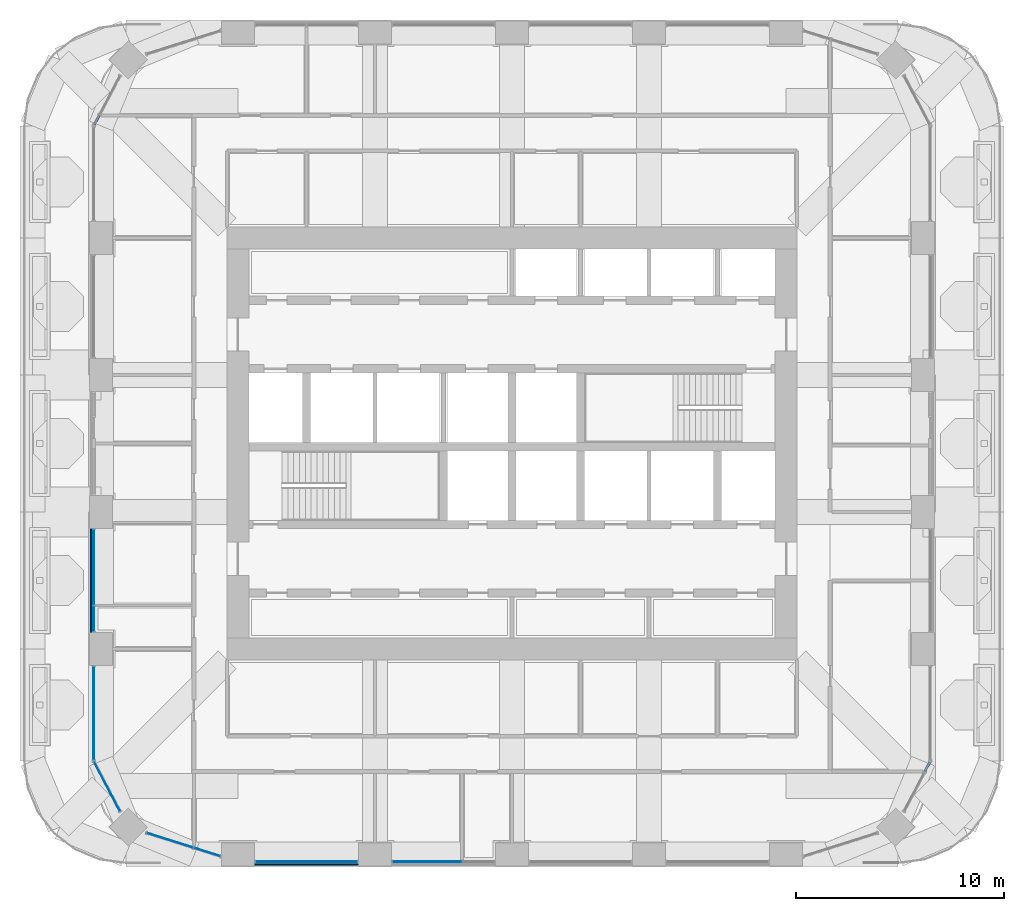
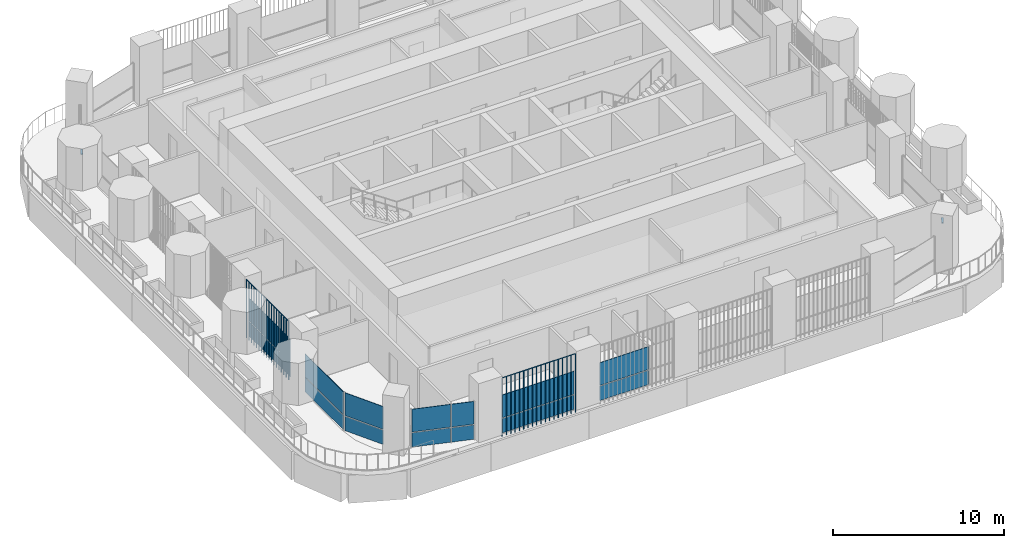
# One storey, part 8 of 24: 18 plates, 2 members, 8 elements without a shape of their own.
"""IFC4 building model written with IfcOpenShell, lengths in metres."""

import ifcopenshell
import ifcopenshell.guid

model = None  # the IFC model being written
_history = None  # IfcOwnerHistory: only IFC2X3 demands one
_inside = {}  # id of a spatial element -> (the spatial element, [elements in it])
_under = {}  # id of a project, library or spatial element -> (it, [spatial elements below it])
_declared = {}  # id of a project -> (the project, [libraries it declares])
_typed = {}  # id of a type object -> (the type object, [elements of that type])
_made_of = {}  # id of a material, layer set ... -> (it, [elements and type objects made of it])


def new_model(schema):
    """Start an empty IFC model of exactly this schema.

    Asked for "IFC4X3", IfcOpenShell would pick the latest addendum, in which some entities
    have other attributes; the version numbers below select the first issue.
    IFC2X3 requires an IfcOwnerHistory on every rooted entity: one is made here for all.
    """
    global model, _history
    if schema == "IFC4X3":
        model = ifcopenshell.file(schema_version=(4, 3, 0, 0))
    else:
        model = ifcopenshell.file(schema=schema)
    _inside.clear()
    _under.clear()
    _declared.clear()
    _typed.clear()
    _made_of.clear()
    _history = None
    if model.schema == "IFC2X3":
        org = make("IfcOrganization", Name="unknown")
        user = make(
            "IfcPersonAndOrganization",
            ThePerson=make("IfcPerson", FamilyName="unknown"),
            TheOrganization=org,
        )
        app = make(
            "IfcApplication",
            ApplicationDeveloper=org,
            Version="unknown",
            ApplicationFullName="unknown",
            ApplicationIdentifier="unknown",
        )
        _history = make(
            "IfcOwnerHistory",
            OwningUser=user,
            OwningApplication=app,
            ChangeAction="ADDED",
            CreationDate=0,
        )
    return model


def make(cls, **values):
    """One entity of the class cls with the attributes given. An attribute that is None is left unset."""
    return model.create_entity(
        cls, **{name: value for name, value in values.items() if value is not None}
    )


def rooted(cls, **values):
    """An entity with a GlobalId (a new one), such as an element, a storey or a relation."""
    return make(cls, GlobalId=ifcopenshell.guid.new(), OwnerHistory=_history, **values)


def si_unit(unit_type, name, prefix=None):
    """IfcSIUnit, for example si_unit("LENGTHUNIT", "METRE", prefix="MILLI")."""
    return make("IfcSIUnit", UnitType=unit_type, Prefix=prefix, Name=name)


def assignment(units):
    """IfcUnitAssignment: the units of a project."""
    return None if units is None else make("IfcUnitAssignment", Units=units)


def point(xyz):
    """IfcCartesianPoint."""
    return None if xyz is None else make("IfcCartesianPoint", Coordinates=xyz)


def direction(xyz):
    """IfcDirection."""
    return None if xyz is None else make("IfcDirection", DirectionRatios=xyz)


def frame(location, z_axis=None, x_axis=None):
    """IfcAxis2Placement3D, a coordinate frame: its origin and axes. An axis left out is left unset."""
    return make(
        "IfcAxis2Placement3D",
        Location=point(location),
        Axis=direction(z_axis),
        RefDirection=direction(x_axis),
    )


def frame_2d(location, x_axis=None):
    """IfcAxis2Placement2D, a coordinate frame in the plane: its origin and x axis."""
    return make(
        "IfcAxis2Placement2D", Location=point(location), RefDirection=direction(x_axis)
    )


def origin():
    """The frame at (0, 0, 0) with its axes left unset."""
    return frame((0.0, 0.0, 0.0))


def origin_2d():
    """The frame at (0, 0) in the plane with its x axis left unset."""
    return frame_2d((0.0, 0.0))


def place(relative_to, where):
    """IfcLocalPlacement: puts the frame where relative to a parent placement (None: the world)."""
    return make(
        "IfcLocalPlacement", PlacementRelTo=relative_to, RelativePlacement=where
    )


def context(
    kind, dimensions, precision=None, world=None, true_north=None, identifier=None
):
    """IfcGeometricRepresentationContext, for example the 3D "Model" context."""
    return make(
        "IfcGeometricRepresentationContext",
        ContextIdentifier=identifier,
        ContextType=kind,
        CoordinateSpaceDimension=dimensions,
        Precision=precision,
        WorldCoordinateSystem=world,
        TrueNorth=true_north,
    )


def subcontext(parent, identifier, kind, view, scale=None):
    """IfcGeometricRepresentationSubContext, for example "Body" below "Model"."""
    return make(
        "IfcGeometricRepresentationSubContext",
        ContextIdentifier=identifier,
        ContextType=kind,
        ParentContext=parent,
        TargetScale=scale,
        TargetView=view,
    )


def project(units=None, contexts=None):
    """IfcProject with its units and contexts."""
    return rooted(
        "IfcProject",
        Name="project",
        RepresentationContexts=contexts,
        UnitsInContext=assignment(units),
    )


def spatial(cls, under=None, at=None, **own):
    """A site, building, storey or space (cls), placed at a placement, below another one or the project."""
    s = rooted(cls, ObjectPlacement=at, **own)
    if under is not None:
        _under.setdefault(under.id(), (under, []))[1].append(s)
    return s


def polyline(points):
    """IfcPolyline through the points."""
    return make("IfcPolyline", Points=[point(p) for p in points])


def profile(cls, at=None, kind="AREA", **sizes):
    """A parametric profile (cls). Its sizes go by their IFC names, for example OverallWidth=200.0."""
    return make(cls, ProfileType=kind, Position=at, **sizes)


def rectangle(**sizes):
    """IfcRectangleProfileDef."""
    return profile("IfcRectangleProfileDef", **sizes)


def outline(outer, holes=None, kind="AREA"):
    """IfcArbitraryClosedProfileDef: a profile drawn as a closed curve; with holes, ...WithVoids."""
    if holes is None:
        return make("IfcArbitraryClosedProfileDef", ProfileType=kind, OuterCurve=outer)
    return make(
        "IfcArbitraryProfileDefWithVoids",
        ProfileType=kind,
        OuterCurve=outer,
        InnerCurves=holes,
    )


def extrude(swept, where, along, depth):
    """IfcExtrudedAreaSolid: the profile swept, set in the frame where, extruded along a direction by depth."""
    return make(
        "IfcExtrudedAreaSolid",
        SweptArea=swept,
        Position=where,
        ExtrudedDirection=direction(along),
        Depth=depth,
    )


def shape(context_of_items, identifier, shape_type, items):
    """IfcShapeRepresentation: the items that make up one representation, for example the "Body"."""
    return make(
        "IfcShapeRepresentation",
        ContextOfItems=context_of_items,
        RepresentationIdentifier=identifier,
        RepresentationType=shape_type,
        Items=items,
    )


def material(Name=None, Category=None):
    """IfcMaterial."""
    return make("IfcMaterial", Name=Name, Category=Category)


def layer(
    of_material, thickness, ventilated=None, Name=None, Category=None, Priority=None
):
    """IfcMaterialLayer: one layer of a wall or slab, of a material (None: an air gap)."""
    return make(
        "IfcMaterialLayer",
        Material=of_material,
        LayerThickness=thickness,
        IsVentilated=ventilated,
        Name=Name,
        Category=Category,
        Priority=Priority,
    )


def layer_set(layers, Name=None):
    """IfcMaterialLayerSet."""
    return make("IfcMaterialLayerSet", MaterialLayers=layers, LayerSetName=Name)


def material_profile(
    of_material, cross_section, Name=None, Category=None, Priority=None
):
    """IfcMaterialProfile: a cross section and its material."""
    return make(
        "IfcMaterialProfile",
        Name=Name,
        Material=of_material,
        Profile=cross_section,
        Priority=Priority,
        Category=Category,
    )


def profile_set(profiles, Name=None, composite=None):
    """IfcMaterialProfileSet."""
    return make(
        "IfcMaterialProfileSet",
        Name=Name,
        MaterialProfiles=profiles,
        CompositeProfile=composite,
    )


def made_of(thing, what):
    """Note that an element or type object is made of a material, layer set ...; save() writes the relation."""
    if what is not None:
        _made_of.setdefault(what.id(), (what, []))[1].append(thing)
    return thing


def type_object(cls, material=None, **own):
    """A type object (cls), such as IfcWallType, which elements share."""
    return made_of(rooted(cls, **own), material)


def element(
    cls,
    number,
    at=None,
    inside=None,
    cuts=None,
    type_object=None,
    material=None,
    context=None,
    identifier="Body",
    shape_type=None,
    held_by="IfcProductDefinitionShape",
    body=None,
    shapes=None,
    **own,
):
    """One element of the class cls, such as IfcWall. Its Tag is "e" and its number.

    at: its placement. inside: the storey or other place that contains it. cuts: it is an
    opening in that element (IfcRelVoidsElement). A single representation is given by context,
    identifier, shape_type and body (its items); several are given by shapes. held_by: the class
    of the entity that holds the representations. save() writes the other relations.
    """
    e = rooted(cls, Tag="e%d" % number, ObjectPlacement=at, **own)
    if body is not None:
        shapes = [shape(context, identifier, shape_type, body)]
    if shapes is not None:
        e.Representation = make(held_by, Representations=shapes)
    if inside is not None:
        _inside.setdefault(inside.id(), (inside, []))[1].append(e)
    if cuts is not None:
        rooted(
            "IfcRelVoidsElement", RelatingBuildingElement=cuts, RelatedOpeningElement=e
        )
    if type_object is not None:
        _typed.setdefault(type_object.id(), (type_object, []))[1].append(e)
    return made_of(e, material)


def aggregate(whole, parts):
    """IfcRelAggregates: a whole, such as a stair, and the parts it consists of."""
    return rooted("IfcRelAggregates", RelatingObject=whole, RelatedObjects=parts)


def save(model, path):
    """Write the relations noted so far, then the file.

    IfcRelAggregates (storeys below a building ...), IfcRelContainedInSpatialStructure (elements
    in a storey), IfcRelDefinesByType, IfcRelAssociatesMaterial and IfcRelDeclares: one each for
    every whole, place, type object, material and project.
    """
    for whole, parts in _under.values():
        aggregate(whole, parts)
    for where, things in _inside.values():
        rooted(
            "IfcRelContainedInSpatialStructure",
            RelatedElements=things,
            RelatingStructure=where,
        )
    for kind, things in _typed.values():
        rooted("IfcRelDefinesByType", RelatedObjects=things, RelatingType=kind)
    for what, things in _made_of.values():
        rooted("IfcRelAssociatesMaterial", RelatedObjects=things, RelatingMaterial=what)
    for by, libraries in _declared.values():
        rooted("IfcRelDeclares", RelatingContext=by, RelatedDefinitions=libraries)
    model.write(path)


model = new_model("IFC4")

# Units and contexts
model_context = context("Model", 3, precision=1e-05, world=origin(), true_north=direction((0.0, 1.0)))
body_context = subcontext(model_context, "Body", "Model", "MODEL_VIEW")
ifc_project = project(units=[si_unit("LENGTHUNIT", "METRE"), si_unit("AREAUNIT", "SQUARE_METRE"), si_unit("VOLUMEUNIT", "CUBIC_METRE"), si_unit("PLANEANGLEUNIT", "RADIAN"), si_unit("MASSUNIT", "GRAM", prefix="KILO")], contexts=[model_context])

# Site, building, storey
site_placement = place(None, origin())
site = spatial("IfcSite", under=ifc_project, at=site_placement, CompositionType="ELEMENT")
building_placement = place(site_placement, origin())
building = spatial("IfcBuilding", under=site, at=building_placement, Name="Cobogo Forest Laboratory Tower", CompositionType="ELEMENT")
storey_placement = place(building_placement, frame((0.0, 0.0, 229.199951171875)))
storey = spatial("IfcBuildingStorey", under=building, at=storey_placement, Name="L52", CompositionType="ELEMENT", Elevation=229.199951171875)

# Curtain wall, member
ifc_material_1 = material(Name="Aluminium curtain wall", Category="aluminium")
curtain_wall_type = type_object("IfcCurtainWallType", Name="CW-2 unitised curtain wall, solar control glazing, laboratory floors zones C and D", PredefinedType="USERDEFINED", material=ifc_material_1)
curtain_wall_1_placement = place(storey_placement, origin())
curtain_wall_1 = element("IfcCurtainWall", 1, at=curtain_wall_1_placement, inside=storey, type_object=curtain_wall_type, Name="Curtain wall 06 L52", ObjectType="UNITISED CURTAIN WALL", PredefinedType="USERDEFINED")
ifc_material_2 = material(Name="Aluminium transom", Category="aluminium")
ifc_material_profile = material_profile(ifc_material_2, rectangle(XDim=0.1201171875, YDim=0.06005859375, at=origin_2d()), Name="AL 60x120")
ifc_profile_set = profile_set([ifc_material_profile], Name="Aluminium transom")
member_type = type_object("IfcMemberType", Name="TR-1 aluminium transom 60x120", PredefinedType="USERDEFINED", material=ifc_profile_set)
member_1_placement = place(storey_placement, frame((46.282470703125, 7.289306640625, 1.050048828125), z_axis=(0.46414828098, 0.885757513806, 0.0), x_axis=(-0.885757513806, 0.46414828098, 0.0)))
member_1 = element("IfcMember", 2, at=member_1_placement, type_object=member_type, Name="CW-2 transom 2.1", ObjectType="TRANSOM", PredefinedType="USERDEFINED", context=body_context, shape_type="SweptSolid", body=[
    extrude(rectangle(XDim=0.1201171875, YDim=0.06005859375, at=origin_2d()), origin(), (0.0, 0.0, 1.0), 0.5166015625),
])
aggregate(curtain_wall_1, [member_1])

curtain_wall_2_placement = place(storey_placement, origin())
curtain_wall_2 = element("IfcCurtainWall", 3, at=curtain_wall_2_placement, inside=storey, type_object=curtain_wall_type, Name="Curtain wall 19 L52", ObjectType="UNITISED CURTAIN WALL", PredefinedType="USERDEFINED")
member_2_placement = place(storey_placement, frame((6.517578125, 38.91064453125, 1.050048828125), z_axis=(-0.46414828098, -0.885757513806, 0.0), x_axis=(0.885757513806, -0.46414828098, 0.0)))
member_2 = element("IfcMember", 4, at=member_2_placement, type_object=member_type, Name="CW-2 transom 2.1", ObjectType="TRANSOM", PredefinedType="USERDEFINED", context=body_context, shape_type="SweptSolid", body=[
    extrude(rectangle(XDim=0.1201171875, YDim=0.06005859375, at=origin_2d()), origin(), (0.0, 0.0, 1.0), 0.5166015625),
])
aggregate(curtain_wall_2, [member_2])

# Curtain wall, plates
curtain_wall_3_placement = place(storey_placement, origin())
curtain_wall_3 = element("IfcCurtainWall", 5, at=curtain_wall_3_placement, inside=storey, type_object=curtain_wall_type, Name="Curtain wall 01 L52", ObjectType="UNITISED CURTAIN WALL", PredefinedType="USERDEFINED")
ifc_material_3 = material(Name="Solar control insulated glass", Category="glass")
ifc_layer = layer(ifc_material_3, 0.031982421875)
ifc_layer_set = layer_set([ifc_layer], Name="GP-2 solar control glass unit 32")
plate_type_1 = type_object("IfcPlateType", Name="GP-2 solar control glass unit 32", PredefinedType="CURTAIN_PANEL", material=ifc_layer_set)
plate_1_placement = place(storey_placement, frame((16.5, 2.949951171875, 0.0), z_axis=(0.0, 0.0, 1.0), x_axis=(1.0, 0.0, 0.0)))
plate_1 = element("IfcPlate", 6, at=plate_1_placement, type_object=plate_type_1, Name="CW-2 panel 1.1", PredefinedType="CURTAIN_PANEL", context=body_context, shape_type="SweptSolid", body=[
    extrude(rectangle(XDim=4.8798828125, YDim=0.031982421875, at=origin_2d()), origin(), (0.0, 0.0, 1.0), 1.02001953125),
])
plate_2_placement = place(storey_placement, frame((16.5, 2.949951171875, 1.080078125), z_axis=(0.0, 0.0, 1.0), x_axis=(1.0, 0.0, 0.0)))
plate_2 = element("IfcPlate", 7, at=plate_2_placement, type_object=plate_type_1, Name="CW-2 panel 1.2", PredefinedType="CURTAIN_PANEL", context=body_context, shape_type="SweptSolid", body=[
    extrude(rectangle(XDim=4.8798828125, YDim=0.031982421875, at=origin_2d()), origin(), (0.0, 0.0, 1.0), 1.6201171875),
])
aggregate(curtain_wall_3, [plate_1, plate_2])

curtain_wall_4_placement = place(storey_placement, origin())
curtain_wall_4 = element("IfcCurtainWall", 8, at=curtain_wall_4_placement, inside=storey, type_object=curtain_wall_type, Name="Curtain wall 02 L52", ObjectType="UNITISED CURTAIN WALL", PredefinedType="USERDEFINED")
plate_3_placement = place(storey_placement, frame((22.31494140625, 2.949951171875, 0.0), z_axis=(0.0, 0.0, 1.0), x_axis=(1.0, 0.0, 0.0)))
plate_3 = element("IfcPlate", 9, at=plate_3_placement, type_object=plate_type_1, Name="CW-2 panel 1.1", PredefinedType="CURTAIN_PANEL", context=body_context, shape_type="SweptSolid", body=[
    extrude(rectangle(XDim=3.31005859375, YDim=0.031982421875, at=origin_2d()), origin(), (0.0, 0.0, 1.0), 1.02001953125),
])
plate_4_placement = place(storey_placement, frame((22.31494140625, 2.949951171875, 1.080078125), z_axis=(0.0, 0.0, 1.0), x_axis=(1.0, 0.0, 0.0)))
plate_4 = element("IfcPlate", 10, at=plate_4_placement, type_object=plate_type_1, Name="CW-2 panel 1.2", PredefinedType="CURTAIN_PANEL", context=body_context, shape_type="SweptSolid", body=[
    extrude(rectangle(XDim=3.31005859375, YDim=0.031982421875, at=origin_2d()), origin(), (0.0, 0.0, 1.0), 1.6201171875),
])
aggregate(curtain_wall_4, [plate_3, plate_4])

curtain_wall_5_placement = place(storey_placement, origin())
curtain_wall_5 = element("IfcCurtainWall", 11, at=curtain_wall_5_placement, inside=storey, type_object=curtain_wall_type, Name="Curtain wall 23 L52", ObjectType="UNITISED CURTAIN WALL", PredefinedType="USERDEFINED")
plate_5_placement = place(storey_placement, frame((6.25, 17.135009765625, 0.0), z_axis=(0.0, 0.0, 1.0), x_axis=(0.0, -1.0, 0.0)))
plate_5 = element("IfcPlate", 12, at=plate_5_placement, type_object=plate_type_1, Name="CW-2 panel 1.1", PredefinedType="CURTAIN_PANEL", context=body_context, shape_type="SweptSolid", body=[
    extrude(rectangle(XDim=3.610107421875, YDim=0.031982421875, at=origin_2d()), origin(), (0.0, 0.0, 1.0), 1.02001953125),
])
plate_6_placement = place(storey_placement, frame((6.25, 17.135009765625, 1.080078125), z_axis=(0.0, 0.0, 1.0), x_axis=(0.0, -1.0, 0.0)))
plate_6 = element("IfcPlate", 13, at=plate_6_placement, type_object=plate_type_1, Name="CW-2 panel 1.2", PredefinedType="CURTAIN_PANEL", context=body_context, shape_type="SweptSolid", body=[
    extrude(rectangle(XDim=3.610107421875, YDim=0.031982421875, at=origin_2d()), origin(), (0.0, 0.0, 1.0), 1.6201171875),
])
plate_7_placement = place(storey_placement, frame((6.25, 14.6650390625, 0.0), z_axis=(0.0, 0.0, 1.0), x_axis=(0.0, -1.0, 0.0)))
plate_7 = element("IfcPlate", 14, at=plate_7_placement, type_object=plate_type_1, Name="CW-2 panel 2.1", PredefinedType="CURTAIN_PANEL", context=body_context, shape_type="SweptSolid", body=[
    extrude(rectangle(XDim=1.2099609375, YDim=0.031982421875, at=origin_2d()), origin(), (0.0, 0.0, 1.0), 1.02001953125),
])
plate_8_placement = place(storey_placement, frame((6.25, 14.6650390625, 1.080078125), z_axis=(0.0, 0.0, 1.0), x_axis=(0.0, -1.0, 0.0)))
plate_8 = element("IfcPlate", 15, at=plate_8_placement, type_object=plate_type_1, Name="CW-2 panel 2.2", PredefinedType="CURTAIN_PANEL", context=body_context, shape_type="SweptSolid", body=[
    extrude(rectangle(XDim=1.2099609375, YDim=0.031982421875, at=origin_2d()), origin(), (0.0, 0.0, 1.0), 1.6201171875),
])
aggregate(curtain_wall_5, [plate_5, plate_6, plate_7, plate_8])

curtain_wall_6_placement = place(storey_placement, origin())
curtain_wall_6 = element("IfcCurtainWall", 16, at=curtain_wall_6_placement, inside=storey, type_object=curtain_wall_type, Name="Curtain wall 24 L52", ObjectType="UNITISED CURTAIN WALL", PredefinedType="USERDEFINED")
plate_9_placement = place(storey_placement, frame((6.25, 10.10009765625, 0.0), z_axis=(0.0, 0.0, 1.0), x_axis=(0.0, -1.0, 0.0)))
plate_9 = element("IfcPlate", 17, at=plate_9_placement, type_object=plate_type_1, Name="CW-2 panel 1.1", PredefinedType="CURTAIN_PANEL", context=body_context, shape_type="SweptSolid", body=[
    extrude(rectangle(XDim=4.47998046875, YDim=0.031982421875, at=origin_2d()), origin(), (0.0, 0.0, 1.0), 1.02001953125),
])
plate_10_placement = place(storey_placement, frame((6.25, 10.10009765625, 1.080078125), z_axis=(0.0, 0.0, 1.0), x_axis=(0.0, -1.0, 0.0)))
plate_10 = element("IfcPlate", 18, at=plate_10_placement, type_object=plate_type_1, Name="CW-2 panel 1.2", PredefinedType="CURTAIN_PANEL", context=body_context, shape_type="SweptSolid", body=[
    extrude(rectangle(XDim=4.47998046875, YDim=0.031982421875, at=origin_2d()), origin(), (0.0, 0.0, 1.0), 1.6201171875),
])
aggregate(curtain_wall_6, [plate_9, plate_10])

curtain_wall_7_placement = place(storey_placement, origin())
curtain_wall_7 = element("IfcCurtainWall", 19, at=curtain_wall_7_placement, inside=storey, type_object=curtain_wall_type, Name="Curtain wall 25 L52", ObjectType="UNITISED CURTAIN WALL", PredefinedType="USERDEFINED")
plate_11_placement = place(storey_placement, frame((6.894287109375, 6.57080078125, 0.0), z_axis=(0.0, 0.0, 1.0), x_axis=(0.464283685186, -0.885686547075, 0.0)))
plate_11 = element("IfcPlate", 20, at=plate_11_placement, type_object=plate_type_1, Name="CW-2 panel 1.1", PredefinedType="CURTAIN_PANEL", context=body_context, shape_type="SweptSolid", body=[
    extrude(rectangle(XDim=2.655517578125, YDim=0.031982421875, at=origin_2d()), origin(), (0.0, 0.0, 1.0), 1.02001953125),
])
plate_12_placement = place(storey_placement, frame((6.894287109375, 6.57080078125, 1.080078125), z_axis=(0.0, 0.0, 1.0), x_axis=(0.464283685186, -0.885686547075, 0.0)))
plate_12 = element("IfcPlate", 21, at=plate_12_placement, type_object=plate_type_1, Name="CW-2 panel 1.2", PredefinedType="CURTAIN_PANEL", context=body_context, shape_type="SweptSolid", body=[
    extrude(rectangle(XDim=2.655517578125, YDim=0.031982421875, at=origin_2d()), origin(), (0.0, 0.0, 1.0), 1.6201171875),
])
aggregate(curtain_wall_7, [plate_11, plate_12])

curtain_wall_8_placement = place(storey_placement, origin())
curtain_wall_8 = element("IfcCurtainWall", 22, at=curtain_wall_8_placement, inside=storey, type_object=curtain_wall_type, Name="Curtain wall 26 L52", ObjectType="UNITISED CURTAIN WALL", PredefinedType="USERDEFINED")
plate_13_placement = place(storey_placement, frame((9.91796875, 3.986572265625, 0.0), z_axis=(0.0, 0.0, 1.0), x_axis=(0.953581351952, -0.301135526315, 0.0)))
plate_13 = element("IfcPlate", 23, at=plate_13_placement, type_object=plate_type_1, Name="CW-2 panel 1.1", PredefinedType="CURTAIN_PANEL", context=body_context, shape_type="SweptSolid", body=[
    extrude(rectangle(XDim=2.316162109375, YDim=0.031982421875, at=origin_2d()), origin(), (0.0, 0.0, 1.0), 1.02001953125),
])
plate_14_placement = place(storey_placement, frame((9.91796875, 3.986572265625, 1.080078125), z_axis=(0.0, 0.0, 1.0), x_axis=(0.953581351952, -0.301135526315, 0.0)))
plate_14 = element("IfcPlate", 24, at=plate_14_placement, type_object=plate_type_1, Name="CW-2 panel 1.2", PredefinedType="CURTAIN_PANEL", context=body_context, shape_type="SweptSolid", body=[
    extrude(rectangle(XDim=2.316162109375, YDim=0.031982421875, at=origin_2d()), origin(), (0.0, 0.0, 1.0), 1.6201171875),
])
plate_15_placement = place(storey_placement, frame((11.711181640625, 3.420166015625, 0.0), z_axis=(0.0, 0.0, 1.0), x_axis=(0.953581351952, -0.301135526315, 0.0)))
plate_15 = element("IfcPlate", 25, at=plate_15_placement, type_object=plate_type_1, Name="CW-2 panel 2.1", PredefinedType="CURTAIN_PANEL", context=body_context, shape_type="SweptSolid", body=[
    extrude(rectangle(XDim=1.32470703125, YDim=0.031982421875, at=origin_2d()), origin(), (0.0, 0.0, 1.0), 1.02001953125),
])
plate_16_placement = place(storey_placement, frame((11.711181640625, 3.420166015625, 1.080078125), z_axis=(0.0, 0.0, 1.0), x_axis=(0.953581351952, -0.301135526315, 0.0)))
plate_16 = element("IfcPlate", 26, at=plate_16_placement, type_object=plate_type_1, Name="CW-2 panel 2.2", PredefinedType="CURTAIN_PANEL", context=body_context, shape_type="SweptSolid", body=[
    extrude(rectangle(XDim=1.32470703125, YDim=0.031982421875, at=origin_2d()), origin(), (0.0, 0.0, 1.0), 1.6201171875),
])
aggregate(curtain_wall_8, [plate_13, plate_14, plate_15, plate_16])

# Plates
ifc_material_4 = material(Name="Terracotta", Category="masonry")
plate_type_2 = type_object("IfcPlateType", Name="TB1 terracotta baguette screen", PredefinedType="USERDEFINED", material=ifc_material_4)
plate_17_placement = place(storey_placement, frame((14.03125, 2.822021484375, -0.14990234375)))
element("IfcPlate", 27, at=plate_17_placement, inside=storey, type_object=plate_type_2, Name="Baguette screen S1 L52", ObjectType="BAGUETTE SCREEN", PredefinedType="USERDEFINED", context=body_context, shape_type="SweptSolid", body=[
    extrude(outline(polyline([(0.02880859375, 0.011962890625), (0.011962890625, 0.02880859375), (-0.011962890625, 0.02880859375), (-0.02880859375, 0.011962890625), (-0.02880859375, -0.011962890625), (-0.011962890625, -0.02880859375), (0.011962890625, -0.02880859375), (0.02880859375, -0.011962890625), (0.02880859375, 0.011962890625)])), frame((0.0, 0.0, 4.168701171875), z_axis=(1.0, 0.0, 0.0), x_axis=(0.0, 1.0, 0.0)), (0.0, 0.0, 1.0), 4.9375),
    extrude(outline(polyline([(0.02880859375, 0.011962890625), (0.011962890625, 0.02880859375), (-0.011962890625, 0.02880859375), (-0.02880859375, 0.011962890625), (-0.02880859375, -0.011962890625), (-0.011962890625, -0.02880859375), (0.011962890625, -0.02880859375), (0.02880859375, -0.011962890625), (0.02880859375, 0.011962890625)])), origin(), (0.0, 0.0, 1.0), 4.137451171875),
    extrude(outline(polyline([(0.02880859375, 0.011962890625), (0.011962890625, 0.02880859375), (-0.011962890625, 0.02880859375), (-0.02880859375, 0.011962890625), (-0.02880859375, -0.011962890625), (-0.011962890625, -0.02880859375), (0.011962890625, -0.02880859375), (0.02880859375, -0.011962890625), (0.02880859375, 0.011962890625)])), frame((0.29052734375, 0.0, 0.0)), (0.0, 0.0, 1.0), 4.137451171875),
    extrude(outline(polyline([(0.02880859375, 0.011962890625), (0.011962890625, 0.02880859375), (-0.011962890625, 0.02880859375), (-0.02880859375, 0.011962890625), (-0.02880859375, -0.011962890625), (-0.011962890625, -0.02880859375), (0.011962890625, -0.02880859375), (0.02880859375, -0.011962890625), (0.02880859375, 0.011962890625)])), frame((0.580810546875, 0.0, 0.0)), (0.0, 0.0, 1.0), 4.137451171875),
    extrude(outline(polyline([(0.02880859375, 0.011962890625), (0.011962890625, 0.02880859375), (-0.011962890625, 0.02880859375), (-0.02880859375, 0.011962890625), (-0.02880859375, -0.011962890625), (-0.011962890625, -0.02880859375), (0.011962890625, -0.02880859375), (0.02880859375, -0.011962890625), (0.02880859375, 0.011962890625)])), frame((0.871337890625, 0.0, 0.0)), (0.0, 0.0, 1.0), 4.137451171875),
    extrude(outline(polyline([(0.02880859375, 0.011962890625), (0.011962890625, 0.02880859375), (-0.011962890625, 0.02880859375), (-0.02880859375, 0.011962890625), (-0.02880859375, -0.011962890625), (-0.011962890625, -0.02880859375), (0.011962890625, -0.02880859375), (0.02880859375, -0.011962890625), (0.02880859375, 0.011962890625)])), frame((1.161865234375, 0.0, 0.0)), (0.0, 0.0, 1.0), 4.137451171875),
    extrude(outline(polyline([(0.02880859375, 0.011962890625), (0.011962890625, 0.02880859375), (-0.011962890625, 0.02880859375), (-0.02880859375, 0.011962890625), (-0.02880859375, -0.011962890625), (-0.011962890625, -0.02880859375), (0.011962890625, -0.02880859375), (0.02880859375, -0.011962890625), (0.02880859375, 0.011962890625)])), frame((1.4521484375, 0.0, 0.0)), (0.0, 0.0, 1.0), 4.137451171875),
    extrude(outline(polyline([(0.02880859375, 0.011962890625), (0.011962890625, 0.02880859375), (-0.011962890625, 0.02880859375), (-0.02880859375, 0.011962890625), (-0.02880859375, -0.011962890625), (-0.011962890625, -0.02880859375), (0.011962890625, -0.02880859375), (0.02880859375, -0.011962890625), (0.02880859375, 0.011962890625)])), frame((1.74267578125, 0.0, 0.0)), (0.0, 0.0, 1.0), 4.137451171875),
    extrude(outline(polyline([(0.02880859375, 0.011962890625), (0.011962890625, 0.02880859375), (-0.011962890625, 0.02880859375), (-0.02880859375, 0.011962890625), (-0.02880859375, -0.011962890625), (-0.011962890625, -0.02880859375), (0.011962890625, -0.02880859375), (0.02880859375, -0.011962890625), (0.02880859375, 0.011962890625)])), frame((2.033203125, 0.0, 0.0)), (0.0, 0.0, 1.0), 4.137451171875),
    extrude(outline(polyline([(0.02880859375, 0.011962890625), (0.011962890625, 0.02880859375), (-0.011962890625, 0.02880859375), (-0.02880859375, 0.011962890625), (-0.02880859375, -0.011962890625), (-0.011962890625, -0.02880859375), (0.011962890625, -0.02880859375), (0.02880859375, -0.011962890625), (0.02880859375, 0.011962890625)])), frame((2.323486328125, 0.0, 0.0)), (0.0, 0.0, 1.0), 4.137451171875),
    extrude(outline(polyline([(0.02880859375, 0.011962890625), (0.011962890625, 0.02880859375), (-0.011962890625, 0.02880859375), (-0.02880859375, 0.011962890625), (-0.02880859375, -0.011962890625), (-0.011962890625, -0.02880859375), (0.011962890625, -0.02880859375), (0.02880859375, -0.011962890625), (0.02880859375, 0.011962890625)])), frame((2.614013671875, 0.0, 0.0)), (0.0, 0.0, 1.0), 4.137451171875),
    extrude(outline(polyline([(0.02880859375, 0.011962890625), (0.011962890625, 0.02880859375), (-0.011962890625, 0.02880859375), (-0.02880859375, 0.011962890625), (-0.02880859375, -0.011962890625), (-0.011962890625, -0.02880859375), (0.011962890625, -0.02880859375), (0.02880859375, -0.011962890625), (0.02880859375, 0.011962890625)])), frame((2.904296875, 0.0, 0.0)), (0.0, 0.0, 1.0), 4.137451171875),
    extrude(outline(polyline([(0.02880859375, 0.011962890625), (0.011962890625, 0.02880859375), (-0.011962890625, 0.02880859375), (-0.02880859375, 0.011962890625), (-0.02880859375, -0.011962890625), (-0.011962890625, -0.02880859375), (0.011962890625, -0.02880859375), (0.02880859375, -0.011962890625), (0.02880859375, 0.011962890625)])), frame((3.19482421875, 0.0, 0.0)), (0.0, 0.0, 1.0), 4.137451171875),
    extrude(outline(polyline([(0.02880859375, 0.011962890625), (0.011962890625, 0.02880859375), (-0.011962890625, 0.02880859375), (-0.02880859375, 0.011962890625), (-0.02880859375, -0.011962890625), (-0.011962890625, -0.02880859375), (0.011962890625, -0.02880859375), (0.02880859375, -0.011962890625), (0.02880859375, 0.011962890625)])), frame((3.4853515625, 0.0, 0.0)), (0.0, 0.0, 1.0), 4.137451171875),
    extrude(outline(polyline([(0.02880859375, 0.011962890625), (0.011962890625, 0.02880859375), (-0.011962890625, 0.02880859375), (-0.02880859375, 0.011962890625), (-0.02880859375, -0.011962890625), (-0.011962890625, -0.02880859375), (0.011962890625, -0.02880859375), (0.02880859375, -0.011962890625), (0.02880859375, 0.011962890625)])), frame((3.775634765625, 0.0, 0.0)), (0.0, 0.0, 1.0), 4.137451171875),
    extrude(outline(polyline([(0.02880859375, 0.011962890625), (0.011962890625, 0.02880859375), (-0.011962890625, 0.02880859375), (-0.02880859375, 0.011962890625), (-0.02880859375, -0.011962890625), (-0.011962890625, -0.02880859375), (0.011962890625, -0.02880859375), (0.02880859375, -0.011962890625), (0.02880859375, 0.011962890625)])), frame((4.066162109375, 0.0, 0.0)), (0.0, 0.0, 1.0), 4.137451171875),
    extrude(outline(polyline([(0.02880859375, 0.011962890625), (0.011962890625, 0.02880859375), (-0.011962890625, 0.02880859375), (-0.02880859375, 0.011962890625), (-0.02880859375, -0.011962890625), (-0.011962890625, -0.02880859375), (0.011962890625, -0.02880859375), (0.02880859375, -0.011962890625), (0.02880859375, 0.011962890625)])), frame((4.356689453125, 0.0, 0.0)), (0.0, 0.0, 1.0), 4.137451171875),
    extrude(outline(polyline([(0.02880859375, 0.011962890625), (0.011962890625, 0.02880859375), (-0.011962890625, 0.02880859375), (-0.02880859375, 0.011962890625), (-0.02880859375, -0.011962890625), (-0.011962890625, -0.02880859375), (0.011962890625, -0.02880859375), (0.02880859375, -0.011962890625), (0.02880859375, 0.011962890625)])), frame((4.64697265625, 0.0, 0.0)), (0.0, 0.0, 1.0), 4.137451171875),
    extrude(outline(polyline([(0.02880859375, 0.011962890625), (0.011962890625, 0.02880859375), (-0.011962890625, 0.02880859375), (-0.02880859375, 0.011962890625), (-0.02880859375, -0.011962890625), (-0.011962890625, -0.02880859375), (0.011962890625, -0.02880859375), (0.02880859375, -0.011962890625), (0.02880859375, 0.011962890625)])), frame((4.9375, 0.0, 0.0)), (0.0, 0.0, 1.0), 4.137451171875),
])
plate_18_placement = place(storey_placement, frame((6.1220703125, 14.03125, -0.14990234375)))
element("IfcPlate", 28, at=plate_18_placement, inside=storey, type_object=plate_type_2, Name="Baguette screen W1 L52", ObjectType="BAGUETTE SCREEN", PredefinedType="USERDEFINED", context=body_context, shape_type="SweptSolid", body=[
    extrude(outline(polyline([(0.02880859375, 0.011962890625), (0.011962890625, 0.02880859375), (-0.011962890625, 0.02880859375), (-0.02880859375, 0.011962890625), (-0.02880859375, -0.011962890625), (-0.011962890625, -0.02880859375), (0.011962890625, -0.02880859375), (0.02880859375, -0.011962890625), (0.02880859375, 0.011962890625)])), frame((0.0, 0.0, 4.168701171875), z_axis=(0.0, 1.0, 0.0), x_axis=(-1.0, 0.0, 0.0)), (0.0, 0.0, 1.0), 4.9375),
    extrude(outline(polyline([(0.02880859375, 0.011962890625), (0.011962890625, 0.02880859375), (-0.011962890625, 0.02880859375), (-0.02880859375, 0.011962890625), (-0.02880859375, -0.011962890625), (-0.011962890625, -0.02880859375), (0.011962890625, -0.02880859375), (0.02880859375, -0.011962890625), (0.02880859375, 0.011962890625)])), origin(), (0.0, 0.0, 1.0), 4.137451171875),
    extrude(outline(polyline([(0.02880859375, 0.011962890625), (0.011962890625, 0.02880859375), (-0.011962890625, 0.02880859375), (-0.02880859375, 0.011962890625), (-0.02880859375, -0.011962890625), (-0.011962890625, -0.02880859375), (0.011962890625, -0.02880859375), (0.02880859375, -0.011962890625), (0.02880859375, 0.011962890625)])), frame((0.0, 0.29052734375, 0.0)), (0.0, 0.0, 1.0), 4.137451171875),
    extrude(outline(polyline([(0.02880859375, 0.011962890625), (0.011962890625, 0.02880859375), (-0.011962890625, 0.02880859375), (-0.02880859375, 0.011962890625), (-0.02880859375, -0.011962890625), (-0.011962890625, -0.02880859375), (0.011962890625, -0.02880859375), (0.02880859375, -0.011962890625), (0.02880859375, 0.011962890625)])), frame((0.0, 0.580810546875, 0.0)), (0.0, 0.0, 1.0), 4.137451171875),
    extrude(outline(polyline([(0.02880859375, 0.011962890625), (0.011962890625, 0.02880859375), (-0.011962890625, 0.02880859375), (-0.02880859375, 0.011962890625), (-0.02880859375, -0.011962890625), (-0.011962890625, -0.02880859375), (0.011962890625, -0.02880859375), (0.02880859375, -0.011962890625), (0.02880859375, 0.011962890625)])), frame((0.0, 0.871337890625, 0.0)), (0.0, 0.0, 1.0), 4.137451171875),
    extrude(outline(polyline([(0.02880859375, 0.011962890625), (0.011962890625, 0.02880859375), (-0.011962890625, 0.02880859375), (-0.02880859375, 0.011962890625), (-0.02880859375, -0.011962890625), (-0.011962890625, -0.02880859375), (0.011962890625, -0.02880859375), (0.02880859375, -0.011962890625), (0.02880859375, 0.011962890625)])), frame((0.0, 1.161865234375, 0.0)), (0.0, 0.0, 1.0), 4.137451171875),
    extrude(outline(polyline([(0.02880859375, 0.011962890625), (0.011962890625, 0.02880859375), (-0.011962890625, 0.02880859375), (-0.02880859375, 0.011962890625), (-0.02880859375, -0.011962890625), (-0.011962890625, -0.02880859375), (0.011962890625, -0.02880859375), (0.02880859375, -0.011962890625), (0.02880859375, 0.011962890625)])), frame((0.0, 1.4521484375, 0.0)), (0.0, 0.0, 1.0), 4.137451171875),
    extrude(outline(polyline([(0.02880859375, 0.011962890625), (0.011962890625, 0.02880859375), (-0.011962890625, 0.02880859375), (-0.02880859375, 0.011962890625), (-0.02880859375, -0.011962890625), (-0.011962890625, -0.02880859375), (0.011962890625, -0.02880859375), (0.02880859375, -0.011962890625), (0.02880859375, 0.011962890625)])), frame((0.0, 1.74267578125, 0.0)), (0.0, 0.0, 1.0), 4.137451171875),
    extrude(outline(polyline([(0.02880859375, 0.011962890625), (0.011962890625, 0.02880859375), (-0.011962890625, 0.02880859375), (-0.02880859375, 0.011962890625), (-0.02880859375, -0.011962890625), (-0.011962890625, -0.02880859375), (0.011962890625, -0.02880859375), (0.02880859375, -0.011962890625), (0.02880859375, 0.011962890625)])), frame((0.0, 2.033203125, 0.0)), (0.0, 0.0, 1.0), 4.137451171875),
    extrude(outline(polyline([(0.02880859375, 0.011962890625), (0.011962890625, 0.02880859375), (-0.011962890625, 0.02880859375), (-0.02880859375, 0.011962890625), (-0.02880859375, -0.011962890625), (-0.011962890625, -0.02880859375), (0.011962890625, -0.02880859375), (0.02880859375, -0.011962890625), (0.02880859375, 0.011962890625)])), frame((0.0, 2.323486328125, 0.0)), (0.0, 0.0, 1.0), 4.137451171875),
    extrude(outline(polyline([(0.02880859375, 0.011962890625), (0.011962890625, 0.02880859375), (-0.011962890625, 0.02880859375), (-0.02880859375, 0.011962890625), (-0.02880859375, -0.011962890625), (-0.011962890625, -0.02880859375), (0.011962890625, -0.02880859375), (0.02880859375, -0.011962890625), (0.02880859375, 0.011962890625)])), frame((0.0, 2.614013671875, 0.0)), (0.0, 0.0, 1.0), 4.137451171875),
    extrude(outline(polyline([(0.02880859375, 0.011962890625), (0.011962890625, 0.02880859375), (-0.011962890625, 0.02880859375), (-0.02880859375, 0.011962890625), (-0.02880859375, -0.011962890625), (-0.011962890625, -0.02880859375), (0.011962890625, -0.02880859375), (0.02880859375, -0.011962890625), (0.02880859375, 0.011962890625)])), frame((0.0, 2.904296875, 0.0)), (0.0, 0.0, 1.0), 4.137451171875),
    extrude(outline(polyline([(0.02880859375, 0.011962890625), (0.011962890625, 0.02880859375), (-0.011962890625, 0.02880859375), (-0.02880859375, 0.011962890625), (-0.02880859375, -0.011962890625), (-0.011962890625, -0.02880859375), (0.011962890625, -0.02880859375), (0.02880859375, -0.011962890625), (0.02880859375, 0.011962890625)])), frame((0.0, 3.19482421875, 0.0)), (0.0, 0.0, 1.0), 4.137451171875),
    extrude(outline(polyline([(0.02880859375, 0.011962890625), (0.011962890625, 0.02880859375), (-0.011962890625, 0.02880859375), (-0.02880859375, 0.011962890625), (-0.02880859375, -0.011962890625), (-0.011962890625, -0.02880859375), (0.011962890625, -0.02880859375), (0.02880859375, -0.011962890625), (0.02880859375, 0.011962890625)])), frame((0.0, 3.4853515625, 0.0)), (0.0, 0.0, 1.0), 4.137451171875),
    extrude(outline(polyline([(0.02880859375, 0.011962890625), (0.011962890625, 0.02880859375), (-0.011962890625, 0.02880859375), (-0.02880859375, 0.011962890625), (-0.02880859375, -0.011962890625), (-0.011962890625, -0.02880859375), (0.011962890625, -0.02880859375), (0.02880859375, -0.011962890625), (0.02880859375, 0.011962890625)])), frame((0.0, 3.775634765625, 0.0)), (0.0, 0.0, 1.0), 4.137451171875),
    extrude(outline(polyline([(0.02880859375, 0.011962890625), (0.011962890625, 0.02880859375), (-0.011962890625, 0.02880859375), (-0.02880859375, 0.011962890625), (-0.02880859375, -0.011962890625), (-0.011962890625, -0.02880859375), (0.011962890625, -0.02880859375), (0.02880859375, -0.011962890625), (0.02880859375, 0.011962890625)])), frame((0.0, 4.066162109375, 0.0)), (0.0, 0.0, 1.0), 4.137451171875),
    extrude(outline(polyline([(0.02880859375, 0.011962890625), (0.011962890625, 0.02880859375), (-0.011962890625, 0.02880859375), (-0.02880859375, 0.011962890625), (-0.02880859375, -0.011962890625), (-0.011962890625, -0.02880859375), (0.011962890625, -0.02880859375), (0.02880859375, -0.011962890625), (0.02880859375, 0.011962890625)])), frame((0.0, 4.356689453125, 0.0)), (0.0, 0.0, 1.0), 4.137451171875),
    extrude(outline(polyline([(0.02880859375, 0.011962890625), (0.011962890625, 0.02880859375), (-0.011962890625, 0.02880859375), (-0.02880859375, 0.011962890625), (-0.02880859375, -0.011962890625), (-0.011962890625, -0.02880859375), (0.011962890625, -0.02880859375), (0.02880859375, -0.011962890625), (0.02880859375, 0.011962890625)])), frame((0.0, 4.64697265625, 0.0)), (0.0, 0.0, 1.0), 4.137451171875),
    extrude(outline(polyline([(0.02880859375, 0.011962890625), (0.011962890625, 0.02880859375), (-0.011962890625, 0.02880859375), (-0.02880859375, 0.011962890625), (-0.02880859375, -0.011962890625), (-0.011962890625, -0.02880859375), (0.011962890625, -0.02880859375), (0.02880859375, -0.011962890625), (0.02880859375, 0.011962890625)])), frame((0.0, 4.9375, 0.0)), (0.0, 0.0, 1.0), 4.137451171875),
])

save(model, "model.ifc")
